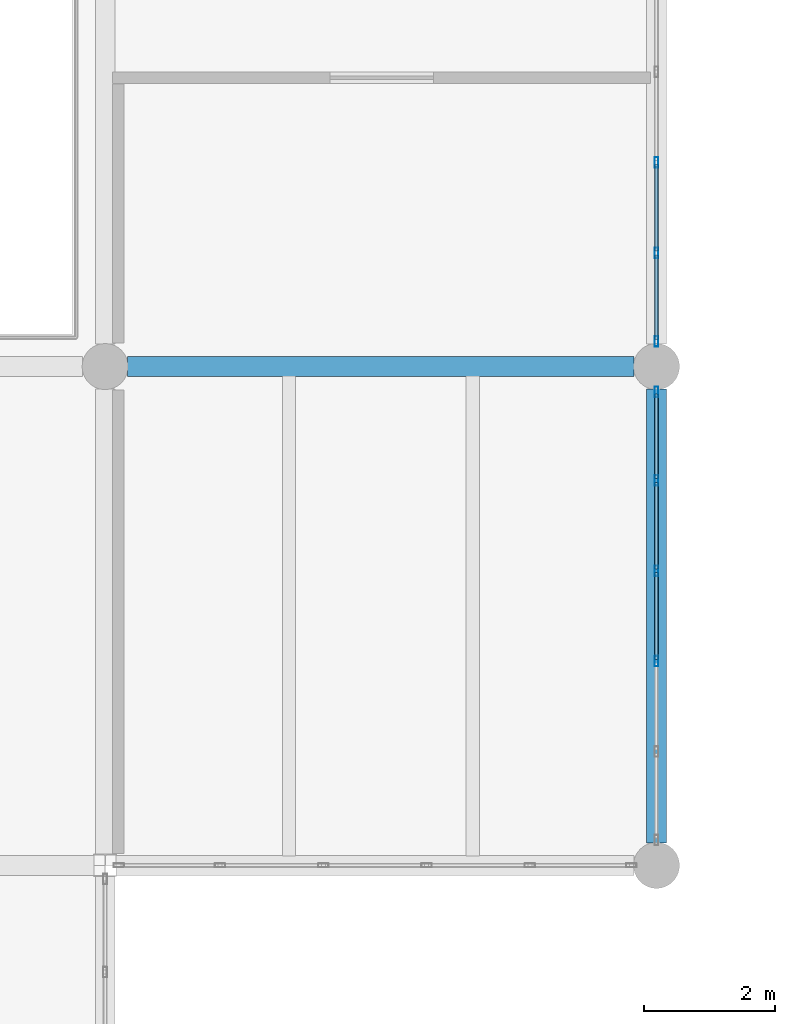
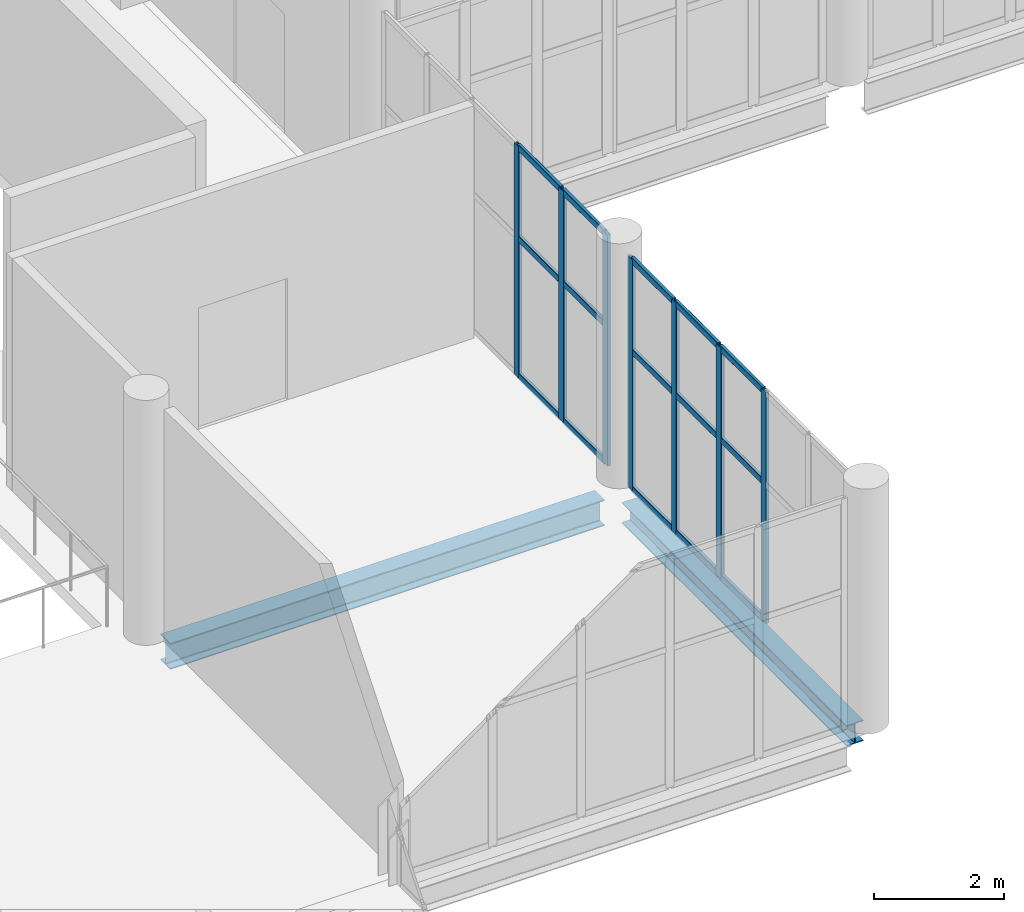
# One storey, part 19 of 74: 22 members, 2 beams, 2 elements without a shape of their own.
"""IFC4 building model written with IfcOpenShell, lengths in metres."""

from ifc_helpers import new_model, si_unit, direction, frame, origin, origin_2d, place, context, subcontext, project, spatial, hollow_rectangle, i_section, extrude, material, material_profile, profile_set, type_object, element, aggregate, save


model = new_model("IFC4")

# Units and contexts
model_context = context("Model", 3, precision=1e-05, world=origin(), true_north=direction((0.0, 1.0)))
body_context = subcontext(model_context, "Body", "Model", "MODEL_VIEW")
ifc_project = project(units=[si_unit("LENGTHUNIT", "METRE"), si_unit("AREAUNIT", "SQUARE_METRE"), si_unit("VOLUMEUNIT", "CUBIC_METRE"), si_unit("PLANEANGLEUNIT", "RADIAN"), si_unit("MASSUNIT", "GRAM", prefix="KILO")], contexts=[model_context])

# Site, building, storey
site_placement = place(None, origin())
site = spatial("IfcSite", under=ifc_project, at=site_placement, CompositionType="ELEMENT")
building_placement = place(site_placement, origin())
building = spatial("IfcBuilding", under=site, at=building_placement, Name="Shengluoqiao Park Theatre", CompositionType="ELEMENT")
storey_placement = place(building_placement, frame((0.0, 0.0, 14.60009765625)))
storey = spatial("IfcBuildingStorey", under=building, at=storey_placement, Name="L03", CompositionType="ELEMENT", Elevation=14.60009765625)

# Curtain wall, members
ifc_material_1 = material(Name="Aluminium 6063-T6", Category="aluminium")
curtain_wall_type = type_object("IfcCurtainWallType", Name="ENV-CW-COURT", PredefinedType="NOTDEFINED", material=ifc_material_1)
curtain_wall_1_placement = place(storey_placement, origin())
curtain_wall_1 = element("IfcCurtainWall", 1, at=curtain_wall_1_placement, inside=storey, type_object=curtain_wall_type, Name="L03 Curtain Wall CWX-L03-0218", PredefinedType="NOTDEFINED")
ifc_material_profile_1 = material_profile(ifc_material_1, hollow_rectangle(XDim=0.06005859375, YDim=0.159912109375, WallThickness=0.00390625, InnerFilletRadius=0.00390625, OuterFilletRadius=0.008056640625, at=origin_2d()), Name="ALU MULLION 160x60x4")
ifc_profile_set_1 = profile_set([ifc_material_profile_1], Name="Aluminium 6063-T6")
member_type_1 = type_object("IfcMemberType", Name="ENV-MUL-160", PredefinedType="MULLION", material=ifc_profile_set_1)
member_1_placement = place(storey_placement, frame((44.39990234375, 56.310791015625, 0.0), z_axis=(0.0, 0.0, 1.0), x_axis=(-1.0, 0.0, 0.0)))
member_1 = element("IfcMember", 2, at=member_1_placement, type_object=member_type_1, Name="CW-05 mullion 3", PredefinedType="MULLION", context=body_context, shape_type="SweptSolid", body=[
    extrude(hollow_rectangle(XDim=0.06005859375, YDim=0.159912109375, WallThickness=0.00390625, InnerFilletRadius=0.00390625, OuterFilletRadius=0.008056640625, at=origin_2d()), origin(), (0.0, 0.0, 1.0), 4.33984375),
])
member_2_placement = place(storey_placement, frame((44.39990234375, 57.689208984375, 0.0), z_axis=(0.0, 0.0, 1.0), x_axis=(-1.0, 0.0, 0.0)))
member_2 = element("IfcMember", 3, at=member_2_placement, type_object=member_type_1, Name="CW-05 mullion 4", PredefinedType="MULLION", context=body_context, shape_type="SweptSolid", body=[
    extrude(hollow_rectangle(XDim=0.06005859375, YDim=0.159912109375, WallThickness=0.00390625, InnerFilletRadius=0.00390625, OuterFilletRadius=0.008056640625, at=origin_2d()), origin(), (0.0, 0.0, 1.0), 4.33984375),
])
member_3_placement = place(storey_placement, frame((44.39990234375, 59.067626953125, 0.0), z_axis=(0.0, 0.0, 1.0), x_axis=(-1.0, 0.0, 0.0)))
member_3 = element("IfcMember", 4, at=member_3_placement, type_object=member_type_1, Name="CW-05 mullion 5", PredefinedType="MULLION", context=body_context, shape_type="SweptSolid", body=[
    extrude(hollow_rectangle(XDim=0.06005859375, YDim=0.159912109375, WallThickness=0.00390625, InnerFilletRadius=0.00390625, OuterFilletRadius=0.008056640625, at=origin_2d()), origin(), (0.0, 0.0, 1.0), 4.33984375),
])
member_4_placement = place(storey_placement, frame((44.39990234375, 60.416015625, 0.0), z_axis=(0.0, 0.0, 1.0), x_axis=(-1.0, 0.0, 0.0)))
member_4 = element("IfcMember", 5, at=member_4_placement, type_object=member_type_1, Name="CW-05 mullion 6", PredefinedType="MULLION", context=body_context, shape_type="SweptSolid", body=[
    extrude(hollow_rectangle(XDim=0.06005859375, YDim=0.159912109375, WallThickness=0.00390625, InnerFilletRadius=0.00390625, OuterFilletRadius=0.008056640625, at=origin_2d()), origin(), (0.0, 0.0, 1.0), 4.33984375),
])

curtain_wall_2_placement = place(storey_placement, origin())
curtain_wall_2 = element("IfcCurtainWall", 6, at=curtain_wall_2_placement, inside=storey, type_object=curtain_wall_type, Name="L03 Curtain Wall CWX-L03-0219", PredefinedType="NOTDEFINED")
member_5_placement = place(storey_placement, frame((44.39990234375, 61.18408203125, 0.0), z_axis=(0.0, 0.0, 1.0), x_axis=(-1.0, 0.0, 0.0)))
member_5 = element("IfcMember", 7, at=member_5_placement, type_object=member_type_1, Name="CW-05 mullion 1", PredefinedType="MULLION", context=body_context, shape_type="SweptSolid", body=[
    extrude(hollow_rectangle(XDim=0.06005859375, YDim=0.159912109375, WallThickness=0.00390625, InnerFilletRadius=0.00390625, OuterFilletRadius=0.008056640625, at=origin_2d()), origin(), (0.0, 0.0, 1.0), 4.33984375),
])
member_6_placement = place(storey_placement, frame((44.39990234375, 62.532470703125, 0.0), z_axis=(0.0, 0.0, 1.0), x_axis=(-1.0, 0.0, 0.0)))
member_6 = element("IfcMember", 8, at=member_6_placement, type_object=member_type_1, Name="CW-05 mullion 2", PredefinedType="MULLION", context=body_context, shape_type="SweptSolid", body=[
    extrude(hollow_rectangle(XDim=0.06005859375, YDim=0.159912109375, WallThickness=0.00390625, InnerFilletRadius=0.00390625, OuterFilletRadius=0.008056640625, at=origin_2d()), origin(), (0.0, 0.0, 1.0), 4.33984375),
])
member_7_placement = place(storey_placement, frame((44.39990234375, 63.910888671875, 0.0), z_axis=(0.0, 0.0, 1.0), x_axis=(-1.0, 0.0, 0.0)))
member_7 = element("IfcMember", 9, at=member_7_placement, type_object=member_type_1, Name="CW-05 mullion 3", PredefinedType="MULLION", context=body_context, shape_type="SweptSolid", body=[
    extrude(hollow_rectangle(XDim=0.06005859375, YDim=0.159912109375, WallThickness=0.00390625, InnerFilletRadius=0.00390625, OuterFilletRadius=0.008056640625, at=origin_2d()), origin(), (0.0, 0.0, 1.0), 4.33984375),
])

# Member
ifc_material_profile_2 = material_profile(ifc_material_1, hollow_rectangle(XDim=0.06005859375, YDim=0.1201171875, WallThickness=0.00390625, InnerFilletRadius=0.00390625, OuterFilletRadius=0.008056640625, at=origin_2d()), Name="ALU TRANSOM 120x60x4")
ifc_profile_set_2 = profile_set([ifc_material_profile_2], Name="Aluminium 6063-T6")
member_type_2 = type_object("IfcMemberType", Name="ENV-TRN-120", PredefinedType="USERDEFINED", material=ifc_profile_set_2)
member_8_placement = place(storey_placement, frame((44.39990234375, 56.3408203125, 0.02978515625), z_axis=(0.0, 1.0, 0.0), x_axis=(-1.0, 0.0, 0.0)))
member_8 = element("IfcMember", 10, at=member_8_placement, type_object=member_type_2, Name="CW-05 transom 3.1", ObjectType="TRANSOM", PredefinedType="USERDEFINED", context=body_context, shape_type="SweptSolid", body=[
    extrude(hollow_rectangle(XDim=0.06005859375, YDim=0.1201171875, WallThickness=0.00390625, InnerFilletRadius=0.00390625, OuterFilletRadius=0.008056640625, at=origin_2d()), origin(), (0.0, 0.0, 1.0), 1.318359375),
])

member_9_placement = place(storey_placement, frame((44.39990234375, 56.3408203125, 2.60400390625), z_axis=(0.0, 1.0, 0.0), x_axis=(-1.0, 0.0, 0.0)))
member_9 = element("IfcMember", 11, at=member_9_placement, type_object=member_type_2, Name="CW-05 transom 3.2", ObjectType="TRANSOM", PredefinedType="USERDEFINED", context=body_context, shape_type="SweptSolid", body=[
    extrude(hollow_rectangle(XDim=0.06005859375, YDim=0.1201171875, WallThickness=0.00390625, InnerFilletRadius=0.00390625, OuterFilletRadius=0.008056640625, at=origin_2d()), origin(), (0.0, 0.0, 1.0), 1.318359375),
])

member_10_placement = place(storey_placement, frame((44.39990234375, 56.3408203125, 4.309814453125), z_axis=(0.0, 1.0, 0.0), x_axis=(-1.0, 0.0, 0.0)))
member_10 = element("IfcMember", 12, at=member_10_placement, type_object=member_type_2, Name="CW-05 transom 3.3", ObjectType="TRANSOM", PredefinedType="USERDEFINED", context=body_context, shape_type="SweptSolid", body=[
    extrude(hollow_rectangle(XDim=0.06005859375, YDim=0.1201171875, WallThickness=0.00390625, InnerFilletRadius=0.00390625, OuterFilletRadius=0.008056640625, at=origin_2d()), origin(), (0.0, 0.0, 1.0), 1.318359375),
])

member_11_placement = place(storey_placement, frame((44.39990234375, 57.71923828125, 0.02978515625), z_axis=(0.0, 1.0, 0.0), x_axis=(-1.0, 0.0, 0.0)))
member_11 = element("IfcMember", 13, at=member_11_placement, type_object=member_type_2, Name="CW-05 transom 4.1", ObjectType="TRANSOM", PredefinedType="USERDEFINED", context=body_context, shape_type="SweptSolid", body=[
    extrude(hollow_rectangle(XDim=0.06005859375, YDim=0.1201171875, WallThickness=0.00390625, InnerFilletRadius=0.00390625, OuterFilletRadius=0.008056640625, at=origin_2d()), origin(), (0.0, 0.0, 1.0), 1.318359375),
])

member_12_placement = place(storey_placement, frame((44.39990234375, 57.71923828125, 2.60400390625), z_axis=(0.0, 1.0, 0.0), x_axis=(-1.0, 0.0, 0.0)))
member_12 = element("IfcMember", 14, at=member_12_placement, type_object=member_type_2, Name="CW-05 transom 4.2", ObjectType="TRANSOM", PredefinedType="USERDEFINED", context=body_context, shape_type="SweptSolid", body=[
    extrude(hollow_rectangle(XDim=0.06005859375, YDim=0.1201171875, WallThickness=0.00390625, InnerFilletRadius=0.00390625, OuterFilletRadius=0.008056640625, at=origin_2d()), origin(), (0.0, 0.0, 1.0), 1.318359375),
])

member_13_placement = place(storey_placement, frame((44.39990234375, 57.71923828125, 4.309814453125), z_axis=(0.0, 1.0, 0.0), x_axis=(-1.0, 0.0, 0.0)))
member_13 = element("IfcMember", 15, at=member_13_placement, type_object=member_type_2, Name="CW-05 transom 4.3", ObjectType="TRANSOM", PredefinedType="USERDEFINED", context=body_context, shape_type="SweptSolid", body=[
    extrude(hollow_rectangle(XDim=0.06005859375, YDim=0.1201171875, WallThickness=0.00390625, InnerFilletRadius=0.00390625, OuterFilletRadius=0.008056640625, at=origin_2d()), origin(), (0.0, 0.0, 1.0), 1.318359375),
])

member_14_placement = place(storey_placement, frame((44.39990234375, 59.09765625, 0.02978515625), z_axis=(0.0, 1.0, 0.0), x_axis=(-1.0, 0.0, 0.0)))
member_14 = element("IfcMember", 16, at=member_14_placement, type_object=member_type_2, Name="CW-05 transom 5.1", ObjectType="TRANSOM", PredefinedType="USERDEFINED", context=body_context, shape_type="SweptSolid", body=[
    extrude(hollow_rectangle(XDim=0.06005859375, YDim=0.1201171875, WallThickness=0.00390625, InnerFilletRadius=0.00390625, OuterFilletRadius=0.008056640625, at=origin_2d()), origin(), (0.0, 0.0, 1.0), 1.288330078125),
])

member_15_placement = place(storey_placement, frame((44.39990234375, 59.09765625, 2.60400390625), z_axis=(0.0, 1.0, 0.0), x_axis=(-1.0, 0.0, 0.0)))
member_15 = element("IfcMember", 17, at=member_15_placement, type_object=member_type_2, Name="CW-05 transom 5.2", ObjectType="TRANSOM", PredefinedType="USERDEFINED", context=body_context, shape_type="SweptSolid", body=[
    extrude(hollow_rectangle(XDim=0.06005859375, YDim=0.1201171875, WallThickness=0.00390625, InnerFilletRadius=0.00390625, OuterFilletRadius=0.008056640625, at=origin_2d()), origin(), (0.0, 0.0, 1.0), 1.288330078125),
])

member_16_placement = place(storey_placement, frame((44.39990234375, 59.09765625, 4.309814453125), z_axis=(0.0, 1.0, 0.0), x_axis=(-1.0, 0.0, 0.0)))
member_16 = element("IfcMember", 18, at=member_16_placement, type_object=member_type_2, Name="CW-05 transom 5.3", ObjectType="TRANSOM", PredefinedType="USERDEFINED", context=body_context, shape_type="SweptSolid", body=[
    extrude(hollow_rectangle(XDim=0.06005859375, YDim=0.1201171875, WallThickness=0.00390625, InnerFilletRadius=0.00390625, OuterFilletRadius=0.008056640625, at=origin_2d()), origin(), (0.0, 0.0, 1.0), 1.288330078125),
])

aggregate(curtain_wall_1, [member_1, member_2, member_3, member_4, member_8, member_9, member_10, member_11, member_12, member_13, member_14, member_15, member_16])

member_17_placement = place(storey_placement, frame((44.39990234375, 61.214111328125, 0.02978515625), z_axis=(0.0, 1.0, 0.0), x_axis=(-1.0, 0.0, 0.0)))
member_17 = element("IfcMember", 19, at=member_17_placement, type_object=member_type_2, Name="CW-05 transom 1.1", ObjectType="TRANSOM", PredefinedType="USERDEFINED", context=body_context, shape_type="SweptSolid", body=[
    extrude(hollow_rectangle(XDim=0.06005859375, YDim=0.1201171875, WallThickness=0.00390625, InnerFilletRadius=0.00390625, OuterFilletRadius=0.008056640625, at=origin_2d()), origin(), (0.0, 0.0, 1.0), 1.288330078125),
])

member_18_placement = place(storey_placement, frame((44.39990234375, 61.214111328125, 2.60400390625), z_axis=(0.0, 1.0, 0.0), x_axis=(-1.0, 0.0, 0.0)))
member_18 = element("IfcMember", 20, at=member_18_placement, type_object=member_type_2, Name="CW-05 transom 1.2", ObjectType="TRANSOM", PredefinedType="USERDEFINED", context=body_context, shape_type="SweptSolid", body=[
    extrude(hollow_rectangle(XDim=0.06005859375, YDim=0.1201171875, WallThickness=0.00390625, InnerFilletRadius=0.00390625, OuterFilletRadius=0.008056640625, at=origin_2d()), origin(), (0.0, 0.0, 1.0), 1.288330078125),
])

member_19_placement = place(storey_placement, frame((44.39990234375, 61.214111328125, 4.309814453125), z_axis=(0.0, 1.0, 0.0), x_axis=(-1.0, 0.0, 0.0)))
member_19 = element("IfcMember", 21, at=member_19_placement, type_object=member_type_2, Name="CW-05 transom 1.3", ObjectType="TRANSOM", PredefinedType="USERDEFINED", context=body_context, shape_type="SweptSolid", body=[
    extrude(hollow_rectangle(XDim=0.06005859375, YDim=0.1201171875, WallThickness=0.00390625, InnerFilletRadius=0.00390625, OuterFilletRadius=0.008056640625, at=origin_2d()), origin(), (0.0, 0.0, 1.0), 1.288330078125),
])

member_20_placement = place(storey_placement, frame((44.39990234375, 62.5625, 0.02978515625), z_axis=(0.0, 1.0, 0.0), x_axis=(-1.0, 0.0, 0.0)))
member_20 = element("IfcMember", 22, at=member_20_placement, type_object=member_type_2, Name="CW-05 transom 2.1", ObjectType="TRANSOM", PredefinedType="USERDEFINED", context=body_context, shape_type="SweptSolid", body=[
    extrude(hollow_rectangle(XDim=0.06005859375, YDim=0.1201171875, WallThickness=0.00390625, InnerFilletRadius=0.00390625, OuterFilletRadius=0.008056640625, at=origin_2d()), origin(), (0.0, 0.0, 1.0), 1.318359375),
])

member_21_placement = place(storey_placement, frame((44.39990234375, 62.5625, 2.60400390625), z_axis=(0.0, 1.0, 0.0), x_axis=(-1.0, 0.0, 0.0)))
member_21 = element("IfcMember", 23, at=member_21_placement, type_object=member_type_2, Name="CW-05 transom 2.2", ObjectType="TRANSOM", PredefinedType="USERDEFINED", context=body_context, shape_type="SweptSolid", body=[
    extrude(hollow_rectangle(XDim=0.06005859375, YDim=0.1201171875, WallThickness=0.00390625, InnerFilletRadius=0.00390625, OuterFilletRadius=0.008056640625, at=origin_2d()), origin(), (0.0, 0.0, 1.0), 1.318359375),
])

member_22_placement = place(storey_placement, frame((44.39990234375, 62.5625, 4.309814453125), z_axis=(0.0, 1.0, 0.0), x_axis=(-1.0, 0.0, 0.0)))
member_22 = element("IfcMember", 24, at=member_22_placement, type_object=member_type_2, Name="CW-05 transom 2.3", ObjectType="TRANSOM", PredefinedType="USERDEFINED", context=body_context, shape_type="SweptSolid", body=[
    extrude(hollow_rectangle(XDim=0.06005859375, YDim=0.1201171875, WallThickness=0.00390625, InnerFilletRadius=0.00390625, OuterFilletRadius=0.008056640625, at=origin_2d()), origin(), (0.0, 0.0, 1.0), 1.318359375),
])

aggregate(curtain_wall_2, [member_5, member_6, member_7, member_17, member_18, member_19, member_20, member_21, member_22])

# Beams
ifc_material_2 = material(Name="Steel Q355", Category="steel")
ifc_material_profile_3 = material_profile(ifc_material_2, i_section(OverallWidth=0.300048828125, OverallDepth=0.389892578125, WebThickness=0.010009765625, FlangeThickness=0.01611328125, FilletRadius=0.01806640625, at=origin_2d()), Name="HM 390x300x10x16")
ifc_profile_set_3 = profile_set([ifc_material_profile_3], Name="Steel Q355")
beam_type_1 = type_object("IfcBeamType", Name="STR-BM-G-HM390", PredefinedType="BEAM", material=ifc_profile_set_3)
beam_1_placement = place(storey_placement, frame((44.39990234375, 53.5439453125, -0.43505859375), z_axis=(0.0, 1.0, 0.0), x_axis=(-1.0, 0.0, 0.0)))
element("IfcBeam", 25, at=beam_1_placement, inside=storey, type_object=beam_type_1, Name="L03 Transverse Girder 01344", PredefinedType="BEAM", context=body_context, shape_type="SweptSolid", body=[
    extrude(i_section(OverallWidth=0.300048828125, OverallDepth=0.389892578125, WebThickness=0.010009765625, FlangeThickness=0.01611328125, FilletRadius=0.01806640625, at=origin_2d()), origin(), (0.0, 0.0, 1.0), 6.912109375),
])
ifc_material_profile_4 = material_profile(ifc_material_2, i_section(OverallWidth=0.300048828125, OverallDepth=0.488037109375, WebThickness=0.010986328125, FlangeThickness=0.01806640625, FilletRadius=0.02197265625, at=origin_2d()), Name="HM 488x300x11x18")
ifc_profile_set_4 = profile_set([ifc_material_profile_4], Name="Steel Q355")
beam_type_2 = type_object("IfcBeamType", Name="STR-BM-G-HM488", PredefinedType="BEAM", material=ifc_profile_set_4)
beam_2_placement = place(storey_placement, frame((36.343994140625, 60.800048828125, -0.484130859375), z_axis=(1.0, 0.0, 0.0), x_axis=(0.0, 1.0, 0.0)))
element("IfcBeam", 26, at=beam_2_placement, inside=storey, type_object=beam_type_2, Name="L03 Primary Girder 01337", PredefinedType="BEAM", context=body_context, shape_type="SweptSolid", body=[
    extrude(i_section(OverallWidth=0.300048828125, OverallDepth=0.488037109375, WebThickness=0.010986328125, FlangeThickness=0.01806640625, FilletRadius=0.02197265625, at=origin_2d()), origin(), (0.0, 0.0, 1.0), 7.7119140625),
])

save(model, "model.ifc")
